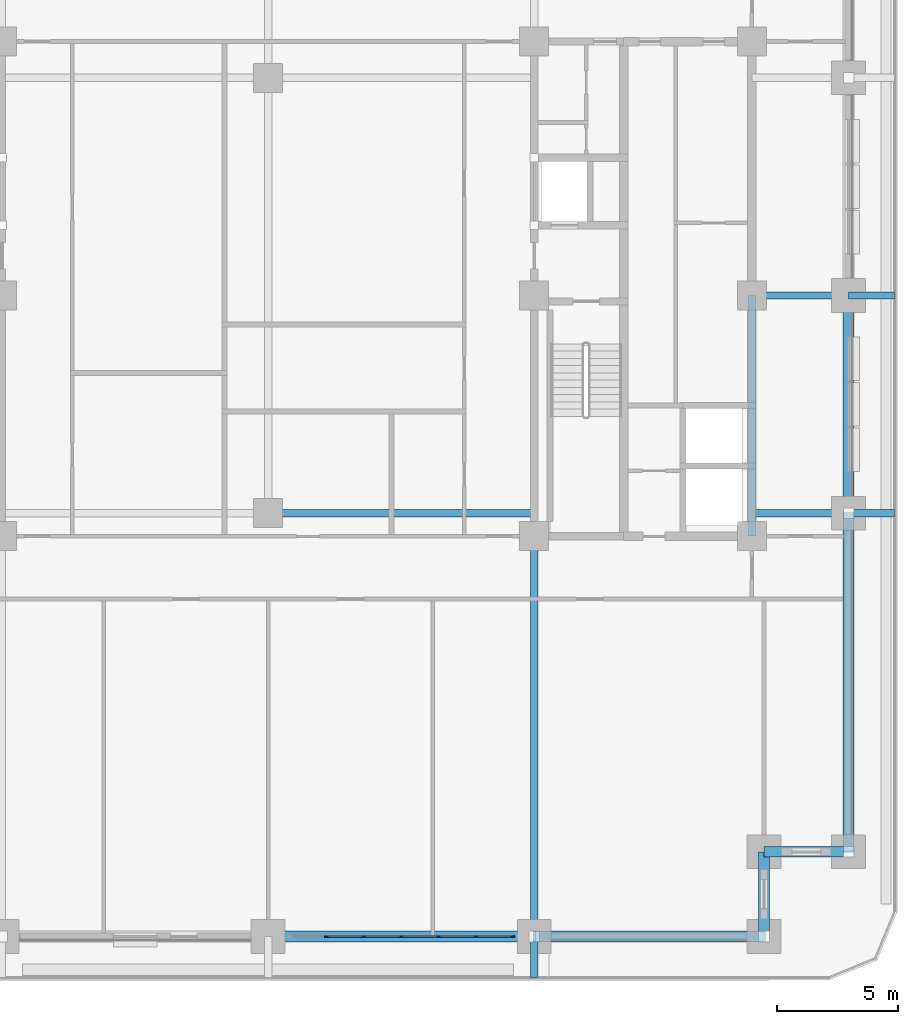
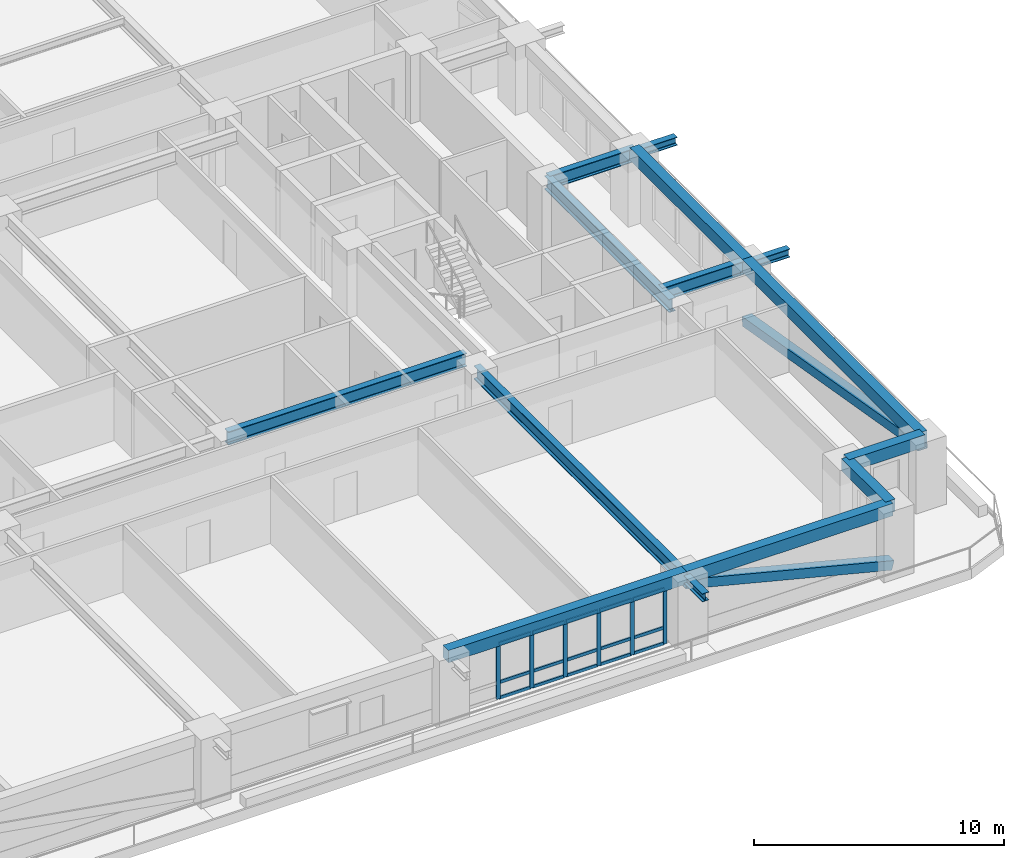
# One storey, part 4 of 20: 23 members, 14 beams, 1 element without a shape of its own.
"""IFC4 building model written with IfcOpenShell, lengths in metres."""

from ifc_helpers import new_model, si_unit, direction, frame, origin, origin_2d, place, context, subcontext, project, spatial, rectangle, hollow_rectangle, i_section, extrude, material, material_profile, profile_set, type_object, element, aggregate, save


model = new_model("IFC4")

# Units and contexts
model_context = context("Model", 3, precision=1e-05, world=origin(), true_north=direction((0.0, 1.0)))
body_context = subcontext(model_context, "Body", "Model", "MODEL_VIEW")
ifc_project = project(units=[si_unit("LENGTHUNIT", "METRE"), si_unit("AREAUNIT", "SQUARE_METRE"), si_unit("VOLUMEUNIT", "CUBIC_METRE"), si_unit("PLANEANGLEUNIT", "RADIAN"), si_unit("MASSUNIT", "GRAM", prefix="KILO")], contexts=[model_context])

# Site, building, storey
site_placement = place(None, origin())
site = spatial("IfcSite", under=ifc_project, at=site_placement, CompositionType="ELEMENT")
building_placement = place(site_placement, origin())
building = spatial("IfcBuilding", under=site, at=building_placement, Name="Zulmaris Gate Convention Tower", CompositionType="ELEMENT")
storey_placement = place(building_placement, frame((0.0, 0.0, 71.469970703125)))
storey = spatial("IfcBuildingStorey", under=building, at=storey_placement, Name="L17", CompositionType="ELEMENT", Elevation=71.469970703125)

# Beams
ifc_material_1 = material(Name="Steel S355", Category="steel")
ifc_material_profile_1 = material_profile(ifc_material_1, i_section(OverallWidth=0.300048828125, OverallDepth=0.39990234375, WebThickness=0.013427734375, FlangeThickness=0.02392578125, FilletRadius=0.027099609375, at=origin_2d()), Name="HEB 400")
ifc_profile_set_1 = profile_set([ifc_material_profile_1], Name="Steel S355")
beam_type_1 = type_object("IfcBeamType", Name="BM-HEB400", PredefinedType="BEAM", material=ifc_profile_set_1)
beam_1_placement = place(storey_placement, frame((11.0, -28.199951171875, 2.97998046875), z_axis=(0.0, 1.0, 0.0), x_axis=(-1.0, 0.0, 0.0)))
element("IfcBeam", 1, at=beam_1_placement, inside=storey, type_object=beam_type_1, Name="L17 Beam TBRK-L17-S-+11", PredefinedType="BEAM", context=body_context, shape_type="SweptSolid", body=[
    extrude(i_section(OverallWidth=0.300048828125, OverallDepth=0.39990234375, WebThickness=0.013427734375, FlangeThickness=0.02392578125, FilletRadius=0.027099609375, at=origin_2d()), origin(), (0.0, 0.0, 1.0), 1.699951171875),
])
for number, where, z_axis, x_axis, name in (
    (2, (24.0, -9.0, 2.97998046875), (1.0, 0.0, 0.0), (0.0, 1.0, 0.0), "L17 Beam TBRK-L17-E--9"),
    (3, (24.0, 0.0, 2.97998046875), (1.0, 0.0, 0.0), (0.0, 1.0, 0.0), "L17 Beam TBRK-L17-E-+0"),
):
    element("IfcBeam", number, at=place(storey_placement, frame(where, z_axis=z_axis, x_axis=x_axis)), inside=storey, type_object=beam_type_1, Name=name, PredefinedType="BEAM", context=body_context, shape_type="SweptSolid", body=[
        extrude(i_section(OverallWidth=0.300048828125, OverallDepth=0.39990234375, WebThickness=0.013427734375, FlangeThickness=0.02392578125, FilletRadius=0.027099609375, at=origin_2d()), origin(), (0.0, 0.0, 1.0), 1.89990234375),
    ])
ifc_material_profile_2 = material_profile(ifc_material_1, i_section(OverallWidth=0.300048828125, OverallDepth=0.64990234375, WebThickness=0.01611328125, FlangeThickness=0.031005859375, FilletRadius=0.027099609375, at=origin_2d()), Name="HEB 650")
ifc_profile_set_2 = profile_set([ifc_material_profile_2], Name="Steel S355")
beam_type_2 = type_object("IfcBeamType", Name="BM-HEB650", PredefinedType="BEAM", material=ifc_profile_set_2)
beam_2_placement = place(storey_placement, frame((0.0, -9.0, 2.992919921875), z_axis=(1.0, 0.0, 0.0), x_axis=(0.0, 1.0, 0.0)))
element("IfcBeam", 4, at=beam_2_placement, inside=storey, type_object=beam_type_2, Name="L17 Beam BM-L17-G02", PredefinedType="BEAM", context=body_context, shape_type="SweptSolid", body=[
    extrude(i_section(OverallWidth=0.300048828125, OverallDepth=0.64990234375, WebThickness=0.01611328125, FlangeThickness=0.031005859375, FilletRadius=0.027099609375, at=origin_2d()), origin(), (0.0, 0.0, 1.0), 11.0),
])
beam_3_placement = place(storey_placement, frame((11.0, -26.5, 2.91796875), z_axis=(0.0, 1.0, 0.0), x_axis=(-1.0, 0.0, 0.0)))
element("IfcBeam", 5, at=beam_3_placement, inside=storey, type_object=beam_type_2, Name="L17 Beam BM-L17-G10", PredefinedType="BEAM", context=body_context, shape_type="SweptSolid", body=[
    extrude(i_section(OverallWidth=0.300048828125, OverallDepth=0.64990234375, WebThickness=0.01611328125, FlangeThickness=0.031005859375, FilletRadius=0.027099609375, at=origin_2d()), origin(), (0.0, 0.0, 1.0), 16.550048828125),
])
for number, where, z_axis, x_axis, name in (
    (6, (20.0, -9.0, 2.992919921875), (1.0, 0.0, 0.0), (0.0, 1.0, 0.0), "L17 Beam BM-L17-G19"),
    (7, (20.0, 0.0, 2.992919921875), (1.0, 0.0, 0.0), (0.0, 1.0, 0.0), "L17 Beam BM-L17-G20"),
):
    element("IfcBeam", number, at=place(storey_placement, frame(where, z_axis=z_axis, x_axis=x_axis)), inside=storey, type_object=beam_type_2, Name=name, PredefinedType="BEAM", context=body_context, shape_type="SweptSolid", body=[
        extrude(i_section(OverallWidth=0.300048828125, OverallDepth=0.64990234375, WebThickness=0.01611328125, FlangeThickness=0.031005859375, FilletRadius=0.027099609375, at=origin_2d()), origin(), (0.0, 0.0, 1.0), 4.0),
    ])
beam_4_placement = place(storey_placement, frame((20.0, -9.949951171875, 2.992919921875), z_axis=(0.0, 1.0, 0.0), x_axis=(-1.0, 0.0, 0.0)))
element("IfcBeam", 8, at=beam_4_placement, inside=storey, type_object=beam_type_2, Name="L17 Beam BM-L17-G28", PredefinedType="BEAM", context=body_context, shape_type="SweptSolid", body=[
    extrude(i_section(OverallWidth=0.300048828125, OverallDepth=0.64990234375, WebThickness=0.01611328125, FlangeThickness=0.031005859375, FilletRadius=0.027099609375, at=origin_2d()), origin(), (0.0, 0.0, 1.0), 9.949951171875),
])
ifc_material_2 = material(Name="Precast concrete C50/60", Category="concrete")
ifc_material_profile_3 = material_profile(ifc_material_2, rectangle(XDim=0.449951171875, YDim=0.60009765625, at=origin_2d()), Name="RC SPANDREL 450x600")
ifc_profile_set_3 = profile_set([ifc_material_profile_3], Name="Precast concrete C50/60")
beam_type_3 = type_object("IfcBeamType", Name="BM-SP450x600", PredefinedType="SPANDREL", material=ifc_profile_set_3)
beam_5_placement = place(storey_placement, frame((0.0, -26.5, 3.02001953125), z_axis=(1.0, 0.0, 0.0), x_axis=(0.0, 1.0, 0.0)))
element("IfcBeam", 9, at=beam_5_placement, inside=storey, type_object=beam_type_3, Name="L17 Spandrel SP-L17-03", PredefinedType="SPANDREL", context=body_context, shape_type="SweptSolid", body=[
    extrude(rectangle(XDim=0.449951171875, YDim=0.60009765625, at=origin_2d()), origin(), (0.0, 0.0, 1.0), 11.0),
])
beam_6_placement = place(storey_placement, frame((11.0, -26.5, 3.02001953125), z_axis=(1.0, 0.0, 0.0), x_axis=(0.0, 1.0, 0.0)))
element("IfcBeam", 10, at=beam_6_placement, inside=storey, type_object=beam_type_3, Name="L17 Spandrel SP-L17-04", PredefinedType="SPANDREL", context=body_context, shape_type="SweptSolid", body=[
    extrude(rectangle(XDim=0.449951171875, YDim=0.60009765625, at=origin_2d()), origin(), (0.0, 0.0, 1.0), 9.5),
])
for number, where, z_axis, x_axis, name in (
    (11, (20.5, -26.5, 3.02001953125), (0.0, 1.0, 0.0), (-1.0, 0.0, 0.0), "L17 Spandrel SP-L17-05"),
    (12, (20.5, -23.0, 3.02001953125), (1.0, 0.0, 0.0), (0.0, 1.0, 0.0), "L17 Spandrel SP-L17-06"),
):
    element("IfcBeam", number, at=place(storey_placement, frame(where, z_axis=z_axis, x_axis=x_axis)), inside=storey, type_object=beam_type_3, Name=name, PredefinedType="SPANDREL", context=body_context, shape_type="SweptSolid", body=[
        extrude(rectangle(XDim=0.449951171875, YDim=0.60009765625, at=origin_2d()), origin(), (0.0, 0.0, 1.0), 3.5),
    ])
beam_7_placement = place(storey_placement, frame((24.0, -23.0, 3.02001953125), z_axis=(0.0, 1.0, 0.0), x_axis=(-1.0, 0.0, 0.0)))
element("IfcBeam", 13, at=beam_7_placement, inside=storey, type_object=beam_type_3, Name="L17 Spandrel SP-L17-07", PredefinedType="SPANDREL", context=body_context, shape_type="SweptSolid", body=[
    extrude(rectangle(XDim=0.449951171875, YDim=0.60009765625, at=origin_2d()), origin(), (0.0, 0.0, 1.0), 14.0),
])
beam_8_placement = place(storey_placement, frame((24.0, -9.0, 3.02001953125), z_axis=(0.0, 1.0, 0.0), x_axis=(-1.0, 0.0, 0.0)))
element("IfcBeam", 14, at=beam_8_placement, inside=storey, type_object=beam_type_3, Name="L17 Spandrel SP-L17-08", PredefinedType="SPANDREL", context=body_context, shape_type="SweptSolid", body=[
    extrude(rectangle(XDim=0.449951171875, YDim=0.60009765625, at=origin_2d()), origin(), (0.0, 0.0, 1.0), 9.0),
])

# Members
ifc_material_3 = material(Name="Steel S460", Category="steel")
ifc_material_profile_4 = material_profile(ifc_material_3, hollow_rectangle(XDim=0.449951171875, YDim=0.449951171875, WallThickness=0.02490234375, at=origin_2d()), Name="SHS 450x450x25")
ifc_profile_set_4 = profile_set([ifc_material_profile_4], Name="Steel S460")
member_type_1 = type_object("IfcMemberType", Name="BR-SHS450", PredefinedType="BRACE", material=ifc_profile_set_4)
member_1_placement = place(storey_placement, frame((24.0, -9.0, 0.300048828125), z_axis=(0.0, -0.985623399742, 0.168957136221), x_axis=(1.0, 0.0, 0.0)))
element("IfcMember", 15, at=member_1_placement, inside=storey, type_object=member_type_1, Name="L17 Perimeter Tube Diagonal SE-E", PredefinedType="BRACE", context=body_context, shape_type="SweptSolid", body=[
    extrude(hollow_rectangle(XDim=0.449951171875, YDim=0.449951171875, WallThickness=0.02490234375, at=origin_2d()), origin(), (0.0, 0.0, 1.0), 14.2041015625),
])
member_2_placement = place(storey_placement, frame((20.5, -26.5, 0.300048828125), z_axis=(-0.969541561087, 0.0, 0.244926848928), x_axis=(0.0, -1.0, 0.0)))
element("IfcMember", 16, at=member_2_placement, inside=storey, type_object=member_type_1, Name="L17 Perimeter Tube Diagonal SE-S", PredefinedType="BRACE", context=body_context, shape_type="SweptSolid", body=[
    extrude(hollow_rectangle(XDim=0.449951171875, YDim=0.449951171875, WallThickness=0.02490234375, at=origin_2d()), origin(), (0.0, 0.0, 1.0), 9.79833984375),
])

# Curtain wall, members
ifc_material_4 = material(Name="Anodised Aluminium", Category="aluminium")
curtain_wall_type = type_object("IfcCurtainWallType", Name="CW-05", PredefinedType="NOTDEFINED", material=ifc_material_4)
curtain_wall_placement = place(storey_placement, origin())
curtain_wall = element("IfcCurtainWall", 17, at=curtain_wall_placement, inside=storey, type_object=curtain_wall_type, Name="CW-05 CW05-L17-S-2_0", PredefinedType="NOTDEFINED")
ifc_material_profile_5 = material_profile(ifc_material_4, rectangle(XDim=0.074951171875, YDim=0.179931640625, at=origin_2d()), Name="ALU MULLION 75x180")
ifc_profile_set_5 = profile_set([ifc_material_profile_5], Name="Anodised Aluminium")
member_type_2 = type_object("IfcMemberType", Name="CW-05-MULL", PredefinedType="MULLION", material=ifc_profile_set_5)
member_3_placement = place(storey_placement, frame((2.40673828125, -26.5, 0.0), z_axis=(0.0, 0.0, 1.0), x_axis=(0.0, 1.0, 0.0)))
member_3 = element("IfcMember", 18, at=member_3_placement, type_object=member_type_2, Name="CW-05 mullion 2", PredefinedType="MULLION", context=body_context, shape_type="SweptSolid", body=[
    extrude(rectangle(XDim=0.074951171875, YDim=0.179931640625, at=origin_2d()), origin(), (0.0, 0.0, 1.0), 2.7119140625),
])
member_4_placement = place(storey_placement, frame((3.953369140625, -26.5, 0.0), z_axis=(0.0, 0.0, 1.0), x_axis=(0.0, 1.0, 0.0)))
member_4 = element("IfcMember", 19, at=member_4_placement, type_object=member_type_2, Name="CW-05 mullion 3", PredefinedType="MULLION", context=body_context, shape_type="SweptSolid", body=[
    extrude(rectangle(XDim=0.074951171875, YDim=0.179931640625, at=origin_2d()), origin(), (0.0, 0.0, 1.0), 2.7119140625),
])
member_5_placement = place(storey_placement, frame((5.5, -26.5, 0.0), z_axis=(0.0, 0.0, 1.0), x_axis=(0.0, 1.0, 0.0)))
member_5 = element("IfcMember", 20, at=member_5_placement, type_object=member_type_2, Name="CW-05 mullion 4", PredefinedType="MULLION", context=body_context, shape_type="SweptSolid", body=[
    extrude(rectangle(XDim=0.074951171875, YDim=0.179931640625, at=origin_2d()), origin(), (0.0, 0.0, 1.0), 2.7119140625),
])
member_6_placement = place(storey_placement, frame((7.046630859375, -26.5, 0.0), z_axis=(0.0, 0.0, 1.0), x_axis=(0.0, 1.0, 0.0)))
member_6 = element("IfcMember", 21, at=member_6_placement, type_object=member_type_2, Name="CW-05 mullion 5", PredefinedType="MULLION", context=body_context, shape_type="SweptSolid", body=[
    extrude(rectangle(XDim=0.074951171875, YDim=0.179931640625, at=origin_2d()), origin(), (0.0, 0.0, 1.0), 2.7119140625),
])
member_7_placement = place(storey_placement, frame((8.59326171875, -26.5, 0.0), z_axis=(0.0, 0.0, 1.0), x_axis=(0.0, 1.0, 0.0)))
member_7 = element("IfcMember", 22, at=member_7_placement, type_object=member_type_2, Name="CW-05 mullion 6", PredefinedType="MULLION", context=body_context, shape_type="SweptSolid", body=[
    extrude(rectangle(XDim=0.074951171875, YDim=0.179931640625, at=origin_2d()), origin(), (0.0, 0.0, 1.0), 2.7119140625),
])
member_8_placement = place(storey_placement, frame((10.1025390625, -26.5, 0.0), z_axis=(0.0, 0.0, 1.0), x_axis=(0.0, 1.0, 0.0)))
member_8 = element("IfcMember", 23, at=member_8_placement, type_object=member_type_2, Name="CW-05 mullion 7", PredefinedType="MULLION", context=body_context, shape_type="SweptSolid", body=[
    extrude(rectangle(XDim=0.074951171875, YDim=0.179931640625, at=origin_2d()), origin(), (0.0, 0.0, 1.0), 2.7119140625),
])
ifc_material_profile_6 = material_profile(ifc_material_4, rectangle(XDim=0.074951171875, YDim=0.14990234375, at=origin_2d()), Name="ALU TRANSOM 75x150")
ifc_profile_set_6 = profile_set([ifc_material_profile_6], Name="Anodised Aluminium")
member_type_3 = type_object("IfcMemberType", Name="CW-05-TRAN", PredefinedType="USERDEFINED", material=ifc_profile_set_6)
member_9_placement = place(storey_placement, frame((2.444091796875, -26.5, 0.03759765625), z_axis=(1.0, 0.0, 0.0), x_axis=(0.0, 1.0, 0.0)))
member_9 = element("IfcMember", 24, at=member_9_placement, type_object=member_type_3, Name="CW-05 transom 2.1", ObjectType="TRANSOM", PredefinedType="USERDEFINED", context=body_context, shape_type="SweptSolid", body=[
    extrude(rectangle(XDim=0.074951171875, YDim=0.14990234375, at=origin_2d()), origin(), (0.0, 0.0, 1.0), 1.4716796875),
])
member_10_placement = place(storey_placement, frame((2.444091796875, -26.5, 0.800048828125), z_axis=(1.0, 0.0, 0.0), x_axis=(0.0, 1.0, 0.0)))
member_10 = element("IfcMember", 25, at=member_10_placement, type_object=member_type_3, Name="CW-05 transom 2.2", ObjectType="TRANSOM", PredefinedType="USERDEFINED", context=body_context, shape_type="SweptSolid", body=[
    extrude(rectangle(XDim=0.074951171875, YDim=0.14990234375, at=origin_2d()), origin(), (0.0, 0.0, 1.0), 1.4716796875),
])
member_11_placement = place(storey_placement, frame((2.444091796875, -26.5, 2.674560546875), z_axis=(1.0, 0.0, 0.0), x_axis=(0.0, 1.0, 0.0)))
member_11 = element("IfcMember", 26, at=member_11_placement, type_object=member_type_3, Name="CW-05 transom 2.3", ObjectType="TRANSOM", PredefinedType="USERDEFINED", context=body_context, shape_type="SweptSolid", body=[
    extrude(rectangle(XDim=0.074951171875, YDim=0.14990234375, at=origin_2d()), origin(), (0.0, 0.0, 1.0), 1.4716796875),
])
member_12_placement = place(storey_placement, frame((3.99072265625, -26.5, 0.03759765625), z_axis=(1.0, 0.0, 0.0), x_axis=(0.0, 1.0, 0.0)))
member_12 = element("IfcMember", 27, at=member_12_placement, type_object=member_type_3, Name="CW-05 transom 3.1", ObjectType="TRANSOM", PredefinedType="USERDEFINED", context=body_context, shape_type="SweptSolid", body=[
    extrude(rectangle(XDim=0.074951171875, YDim=0.14990234375, at=origin_2d()), origin(), (0.0, 0.0, 1.0), 1.4716796875),
])
member_13_placement = place(storey_placement, frame((3.99072265625, -26.5, 0.800048828125), z_axis=(1.0, 0.0, 0.0), x_axis=(0.0, 1.0, 0.0)))
member_13 = element("IfcMember", 28, at=member_13_placement, type_object=member_type_3, Name="CW-05 transom 3.2", ObjectType="TRANSOM", PredefinedType="USERDEFINED", context=body_context, shape_type="SweptSolid", body=[
    extrude(rectangle(XDim=0.074951171875, YDim=0.14990234375, at=origin_2d()), origin(), (0.0, 0.0, 1.0), 1.4716796875),
])
member_14_placement = place(storey_placement, frame((3.99072265625, -26.5, 2.674560546875), z_axis=(1.0, 0.0, 0.0), x_axis=(0.0, 1.0, 0.0)))
member_14 = element("IfcMember", 29, at=member_14_placement, type_object=member_type_3, Name="CW-05 transom 3.3", ObjectType="TRANSOM", PredefinedType="USERDEFINED", context=body_context, shape_type="SweptSolid", body=[
    extrude(rectangle(XDim=0.074951171875, YDim=0.14990234375, at=origin_2d()), origin(), (0.0, 0.0, 1.0), 1.4716796875),
])
member_15_placement = place(storey_placement, frame((5.53759765625, -26.5, 0.03759765625), z_axis=(1.0, 0.0, 0.0), x_axis=(0.0, 1.0, 0.0)))
member_15 = element("IfcMember", 30, at=member_15_placement, type_object=member_type_3, Name="CW-05 transom 4.1", ObjectType="TRANSOM", PredefinedType="USERDEFINED", context=body_context, shape_type="SweptSolid", body=[
    extrude(rectangle(XDim=0.074951171875, YDim=0.14990234375, at=origin_2d()), origin(), (0.0, 0.0, 1.0), 1.4716796875),
])
member_16_placement = place(storey_placement, frame((5.53759765625, -26.5, 0.800048828125), z_axis=(1.0, 0.0, 0.0), x_axis=(0.0, 1.0, 0.0)))
member_16 = element("IfcMember", 31, at=member_16_placement, type_object=member_type_3, Name="CW-05 transom 4.2", ObjectType="TRANSOM", PredefinedType="USERDEFINED", context=body_context, shape_type="SweptSolid", body=[
    extrude(rectangle(XDim=0.074951171875, YDim=0.14990234375, at=origin_2d()), origin(), (0.0, 0.0, 1.0), 1.4716796875),
])
member_17_placement = place(storey_placement, frame((5.53759765625, -26.5, 2.674560546875), z_axis=(1.0, 0.0, 0.0), x_axis=(0.0, 1.0, 0.0)))
member_17 = element("IfcMember", 32, at=member_17_placement, type_object=member_type_3, Name="CW-05 transom 4.3", ObjectType="TRANSOM", PredefinedType="USERDEFINED", context=body_context, shape_type="SweptSolid", body=[
    extrude(rectangle(XDim=0.074951171875, YDim=0.14990234375, at=origin_2d()), origin(), (0.0, 0.0, 1.0), 1.4716796875),
])
member_18_placement = place(storey_placement, frame((7.084228515625, -26.5, 0.03759765625), z_axis=(1.0, 0.0, 0.0), x_axis=(0.0, 1.0, 0.0)))
member_18 = element("IfcMember", 33, at=member_18_placement, type_object=member_type_3, Name="CW-05 transom 5.1", ObjectType="TRANSOM", PredefinedType="USERDEFINED", context=body_context, shape_type="SweptSolid", body=[
    extrude(rectangle(XDim=0.074951171875, YDim=0.14990234375, at=origin_2d()), origin(), (0.0, 0.0, 1.0), 1.4716796875),
])
member_19_placement = place(storey_placement, frame((7.084228515625, -26.5, 0.800048828125), z_axis=(1.0, 0.0, 0.0), x_axis=(0.0, 1.0, 0.0)))
member_19 = element("IfcMember", 34, at=member_19_placement, type_object=member_type_3, Name="CW-05 transom 5.2", ObjectType="TRANSOM", PredefinedType="USERDEFINED", context=body_context, shape_type="SweptSolid", body=[
    extrude(rectangle(XDim=0.074951171875, YDim=0.14990234375, at=origin_2d()), origin(), (0.0, 0.0, 1.0), 1.4716796875),
])
member_20_placement = place(storey_placement, frame((7.084228515625, -26.5, 2.674560546875), z_axis=(1.0, 0.0, 0.0), x_axis=(0.0, 1.0, 0.0)))
member_20 = element("IfcMember", 35, at=member_20_placement, type_object=member_type_3, Name="CW-05 transom 5.3", ObjectType="TRANSOM", PredefinedType="USERDEFINED", context=body_context, shape_type="SweptSolid", body=[
    extrude(rectangle(XDim=0.074951171875, YDim=0.14990234375, at=origin_2d()), origin(), (0.0, 0.0, 1.0), 1.4716796875),
])
member_21_placement = place(storey_placement, frame((8.630859375, -26.5, 0.03759765625), z_axis=(1.0, 0.0, 0.0), x_axis=(0.0, 1.0, 0.0)))
member_21 = element("IfcMember", 36, at=member_21_placement, type_object=member_type_3, Name="CW-05 transom 6.1", ObjectType="TRANSOM", PredefinedType="USERDEFINED", context=body_context, shape_type="SweptSolid", body=[
    extrude(rectangle(XDim=0.074951171875, YDim=0.14990234375, at=origin_2d()), origin(), (0.0, 0.0, 1.0), 1.43408203125),
])
member_22_placement = place(storey_placement, frame((8.630859375, -26.5, 0.800048828125), z_axis=(1.0, 0.0, 0.0), x_axis=(0.0, 1.0, 0.0)))
member_22 = element("IfcMember", 37, at=member_22_placement, type_object=member_type_3, Name="CW-05 transom 6.2", ObjectType="TRANSOM", PredefinedType="USERDEFINED", context=body_context, shape_type="SweptSolid", body=[
    extrude(rectangle(XDim=0.074951171875, YDim=0.14990234375, at=origin_2d()), origin(), (0.0, 0.0, 1.0), 1.43408203125),
])
member_23_placement = place(storey_placement, frame((8.630859375, -26.5, 2.674560546875), z_axis=(1.0, 0.0, 0.0), x_axis=(0.0, 1.0, 0.0)))
member_23 = element("IfcMember", 38, at=member_23_placement, type_object=member_type_3, Name="CW-05 transom 6.3", ObjectType="TRANSOM", PredefinedType="USERDEFINED", context=body_context, shape_type="SweptSolid", body=[
    extrude(rectangle(XDim=0.074951171875, YDim=0.14990234375, at=origin_2d()), origin(), (0.0, 0.0, 1.0), 1.43408203125),
])
aggregate(curtain_wall, [member_3, member_4, member_5, member_6, member_7, member_8, member_9, member_10, member_11, member_12, member_13, member_14, member_15, member_16, member_17, member_18, member_19, member_20, member_21, member_22, member_23])

save(model, "model.ifc")
